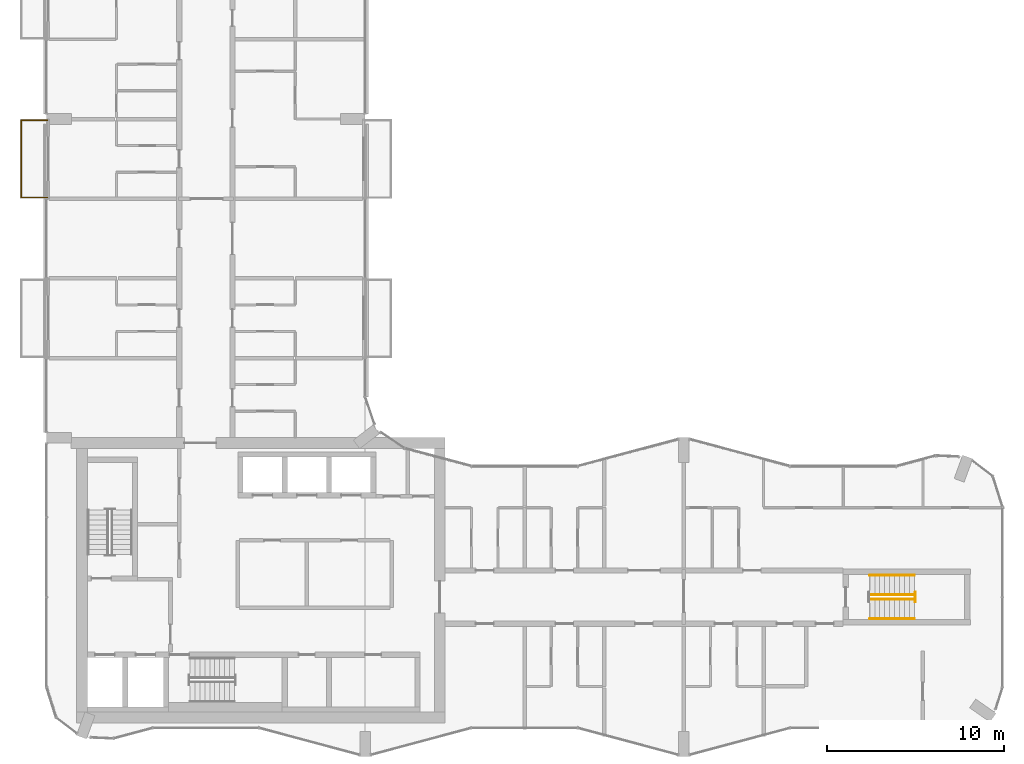
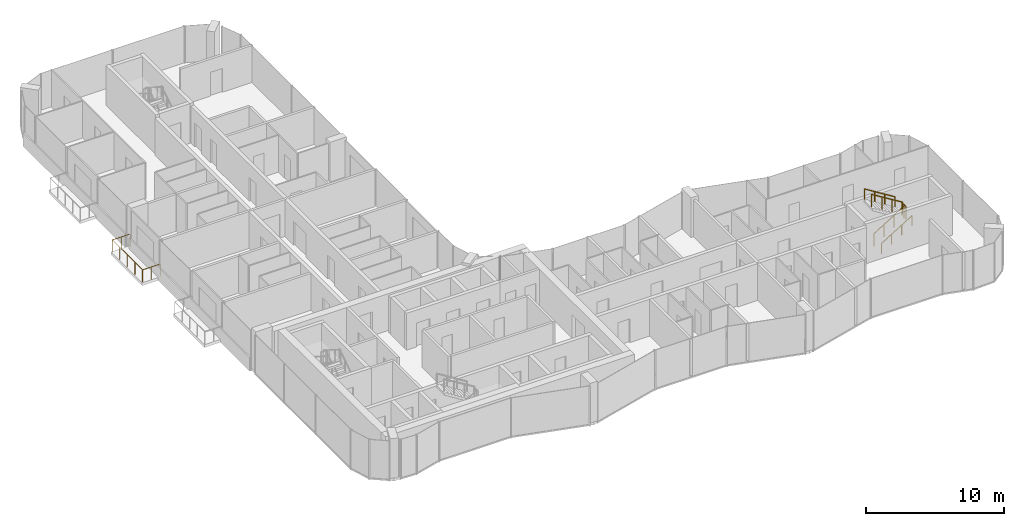
# One storey, part 15 of 16: 6 railings.
"""IFC4 building model written with IfcOpenShell, lengths in metres."""

import ifcopenshell
import ifcopenshell.guid

model = None  # the IFC model being written
_history = None  # IfcOwnerHistory: only IFC2X3 demands one
_inside = {}  # id of a spatial element -> (the spatial element, [elements in it])
_under = {}  # id of a project, library or spatial element -> (it, [spatial elements below it])
_declared = {}  # id of a project -> (the project, [libraries it declares])
_typed = {}  # id of a type object -> (the type object, [elements of that type])
_made_of = {}  # id of a material, layer set ... -> (it, [elements and type objects made of it])


def new_model(schema):
    """Start an empty IFC model of exactly this schema.

    Asked for "IFC4X3", IfcOpenShell would pick the latest addendum, in which some entities
    have other attributes; the version numbers below select the first issue.
    IFC2X3 requires an IfcOwnerHistory on every rooted entity: one is made here for all.
    """
    global model, _history
    if schema == "IFC4X3":
        model = ifcopenshell.file(schema_version=(4, 3, 0, 0))
    else:
        model = ifcopenshell.file(schema=schema)
    _inside.clear()
    _under.clear()
    _declared.clear()
    _typed.clear()
    _made_of.clear()
    _history = None
    if model.schema == "IFC2X3":
        org = make("IfcOrganization", Name="unknown")
        user = make(
            "IfcPersonAndOrganization",
            ThePerson=make("IfcPerson", FamilyName="unknown"),
            TheOrganization=org,
        )
        app = make(
            "IfcApplication",
            ApplicationDeveloper=org,
            Version="unknown",
            ApplicationFullName="unknown",
            ApplicationIdentifier="unknown",
        )
        _history = make(
            "IfcOwnerHistory",
            OwningUser=user,
            OwningApplication=app,
            ChangeAction="ADDED",
            CreationDate=0,
        )
    return model


def make(cls, **values):
    """One entity of the class cls with the attributes given. An attribute that is None is left unset."""
    return model.create_entity(
        cls, **{name: value for name, value in values.items() if value is not None}
    )


def rooted(cls, **values):
    """An entity with a GlobalId (a new one), such as an element, a storey or a relation."""
    return make(cls, GlobalId=ifcopenshell.guid.new(), OwnerHistory=_history, **values)


def si_unit(unit_type, name, prefix=None):
    """IfcSIUnit, for example si_unit("LENGTHUNIT", "METRE", prefix="MILLI")."""
    return make("IfcSIUnit", UnitType=unit_type, Prefix=prefix, Name=name)


def assignment(units):
    """IfcUnitAssignment: the units of a project."""
    return None if units is None else make("IfcUnitAssignment", Units=units)


def point(xyz):
    """IfcCartesianPoint."""
    return None if xyz is None else make("IfcCartesianPoint", Coordinates=xyz)


def direction(xyz):
    """IfcDirection."""
    return None if xyz is None else make("IfcDirection", DirectionRatios=xyz)


def frame(location, z_axis=None, x_axis=None):
    """IfcAxis2Placement3D, a coordinate frame: its origin and axes. An axis left out is left unset."""
    return make(
        "IfcAxis2Placement3D",
        Location=point(location),
        Axis=direction(z_axis),
        RefDirection=direction(x_axis),
    )


def frame_2d(location, x_axis=None):
    """IfcAxis2Placement2D, a coordinate frame in the plane: its origin and x axis."""
    return make(
        "IfcAxis2Placement2D", Location=point(location), RefDirection=direction(x_axis)
    )


def origin():
    """The frame at (0, 0, 0) with its axes left unset."""
    return frame((0.0, 0.0, 0.0))


def origin_2d():
    """The frame at (0, 0) in the plane with its x axis left unset."""
    return frame_2d((0.0, 0.0))


def place(relative_to, where):
    """IfcLocalPlacement: puts the frame where relative to a parent placement (None: the world)."""
    return make(
        "IfcLocalPlacement", PlacementRelTo=relative_to, RelativePlacement=where
    )


def context(
    kind, dimensions, precision=None, world=None, true_north=None, identifier=None
):
    """IfcGeometricRepresentationContext, for example the 3D "Model" context."""
    return make(
        "IfcGeometricRepresentationContext",
        ContextIdentifier=identifier,
        ContextType=kind,
        CoordinateSpaceDimension=dimensions,
        Precision=precision,
        WorldCoordinateSystem=world,
        TrueNorth=true_north,
    )


def subcontext(parent, identifier, kind, view, scale=None):
    """IfcGeometricRepresentationSubContext, for example "Body" below "Model"."""
    return make(
        "IfcGeometricRepresentationSubContext",
        ContextIdentifier=identifier,
        ContextType=kind,
        ParentContext=parent,
        TargetScale=scale,
        TargetView=view,
    )


def project(units=None, contexts=None):
    """IfcProject with its units and contexts."""
    return rooted(
        "IfcProject",
        Name="project",
        RepresentationContexts=contexts,
        UnitsInContext=assignment(units),
    )


def spatial(cls, under=None, at=None, **own):
    """A site, building, storey or space (cls), placed at a placement, below another one or the project."""
    s = rooted(cls, ObjectPlacement=at, **own)
    if under is not None:
        _under.setdefault(under.id(), (under, []))[1].append(s)
    return s


def profile(cls, at=None, kind="AREA", **sizes):
    """A parametric profile (cls). Its sizes go by their IFC names, for example OverallWidth=200.0."""
    return make(cls, ProfileType=kind, Position=at, **sizes)


def circle(**sizes):
    """IfcCircleProfileDef."""
    return profile("IfcCircleProfileDef", **sizes)


def extrude(swept, where, along, depth):
    """IfcExtrudedAreaSolid: the profile swept, set in the frame where, extruded along a direction by depth."""
    return make(
        "IfcExtrudedAreaSolid",
        SweptArea=swept,
        Position=where,
        ExtrudedDirection=direction(along),
        Depth=depth,
    )


def shape(context_of_items, identifier, shape_type, items):
    """IfcShapeRepresentation: the items that make up one representation, for example the "Body"."""
    return make(
        "IfcShapeRepresentation",
        ContextOfItems=context_of_items,
        RepresentationIdentifier=identifier,
        RepresentationType=shape_type,
        Items=items,
    )


def material(Name=None, Category=None):
    """IfcMaterial."""
    return make("IfcMaterial", Name=Name, Category=Category)


def made_of(thing, what):
    """Note that an element or type object is made of a material, layer set ...; save() writes the relation."""
    if what is not None:
        _made_of.setdefault(what.id(), (what, []))[1].append(thing)
    return thing


def type_object(cls, material=None, **own):
    """A type object (cls), such as IfcWallType, which elements share."""
    return made_of(rooted(cls, **own), material)


def element(
    cls,
    number,
    at=None,
    inside=None,
    cuts=None,
    type_object=None,
    material=None,
    context=None,
    identifier="Body",
    shape_type=None,
    held_by="IfcProductDefinitionShape",
    body=None,
    shapes=None,
    **own,
):
    """One element of the class cls, such as IfcWall. Its Tag is "e" and its number.

    at: its placement. inside: the storey or other place that contains it. cuts: it is an
    opening in that element (IfcRelVoidsElement). A single representation is given by context,
    identifier, shape_type and body (its items); several are given by shapes. held_by: the class
    of the entity that holds the representations. save() writes the other relations.
    """
    e = rooted(cls, Tag="e%d" % number, ObjectPlacement=at, **own)
    if body is not None:
        shapes = [shape(context, identifier, shape_type, body)]
    if shapes is not None:
        e.Representation = make(held_by, Representations=shapes)
    if inside is not None:
        _inside.setdefault(inside.id(), (inside, []))[1].append(e)
    if cuts is not None:
        rooted(
            "IfcRelVoidsElement", RelatingBuildingElement=cuts, RelatedOpeningElement=e
        )
    if type_object is not None:
        _typed.setdefault(type_object.id(), (type_object, []))[1].append(e)
    return made_of(e, material)


def aggregate(whole, parts):
    """IfcRelAggregates: a whole, such as a stair, and the parts it consists of."""
    return rooted("IfcRelAggregates", RelatingObject=whole, RelatedObjects=parts)


def save(model, path):
    """Write the relations noted so far, then the file.

    IfcRelAggregates (storeys below a building ...), IfcRelContainedInSpatialStructure (elements
    in a storey), IfcRelDefinesByType, IfcRelAssociatesMaterial and IfcRelDeclares: one each for
    every whole, place, type object, material and project.
    """
    for whole, parts in _under.values():
        aggregate(whole, parts)
    for where, things in _inside.values():
        rooted(
            "IfcRelContainedInSpatialStructure",
            RelatedElements=things,
            RelatingStructure=where,
        )
    for kind, things in _typed.values():
        rooted("IfcRelDefinesByType", RelatedObjects=things, RelatingType=kind)
    for what, things in _made_of.values():
        rooted("IfcRelAssociatesMaterial", RelatedObjects=things, RelatingMaterial=what)
    for by, libraries in _declared.values():
        rooted("IfcRelDeclares", RelatingContext=by, RelatedDefinitions=libraries)
    model.write(path)


model = new_model("IFC4")

# Units and contexts
model_context = context("Model", 3, precision=1e-05, world=origin(), true_north=direction((0.0, 1.0)))
body_context = subcontext(model_context, "Body", "Model", "MODEL_VIEW")
ifc_project = project(units=[si_unit("LENGTHUNIT", "METRE"), si_unit("AREAUNIT", "SQUARE_METRE"), si_unit("VOLUMEUNIT", "CUBIC_METRE"), si_unit("PLANEANGLEUNIT", "RADIAN"), si_unit("MASSUNIT", "GRAM", prefix="KILO")], contexts=[model_context])

# Site, building, storey
site_placement = place(None, origin())
site = spatial("IfcSite", under=ifc_project, at=site_placement, CompositionType="ELEMENT")
building_placement = place(site_placement, origin())
building = spatial("IfcBuilding", under=site, at=building_placement, Name="Plateau Cross Towers", CompositionType="ELEMENT")
storey_placement = place(building_placement, frame((0.0, 0.0, 167.39990234375)))
storey = spatial("IfcBuildingStorey", under=building, at=storey_placement, Name="L43", CompositionType="ELEMENT", Elevation=167.39990234375)

# Railings
ifc_material_1 = material(Name="Stainless steel and toughened glass", Category="steel")
railing_type_1 = type_object("IfcRailingType", Name="Glass balustrade guard 1100", PredefinedType="GUARDRAIL", material=ifc_material_1)
railing_1_placement = place(storey_placement, frame((0.050048828125, 31.570068359375, 0.0)))
element("IfcRailing", 1, at=railing_1_placement, inside=storey, type_object=railing_type_1, Name="Guard guard1", PredefinedType="GUARDRAIL", context=body_context, shape_type="SweptSolid", body=[
    extrude(circle(Radius=0.02392578125, at=origin_2d()), frame((0.0, 0.0, 1.076171875), z_axis=(-1.0, 0.0, 0.0), x_axis=(0.0, -1.0, 0.0)), (0.0, 0.0, 1.0), 1.47998046875),
    extrude(circle(Radius=0.02392578125, at=origin_2d()), frame((-1.47998046875, 0.0, 1.076171875), z_axis=(0.0, 1.0, 0.0), x_axis=(-1.0, 0.0, 0.0)), (0.0, 0.0, 1.0), 4.35986328125),
    extrude(circle(Radius=0.02392578125, at=origin_2d()), frame((-1.47998046875, 4.35986328125, 1.076171875), z_axis=(1.0, 0.0, 0.0), x_axis=(0.0, 1.0, 0.0)), (0.0, 0.0, 1.0), 1.47998046875),
    extrude(circle(Radius=0.02099609375, at=origin_2d()), origin(), (0.0, 0.0, 1.0), 1.052001953125),
    extrude(circle(Radius=0.02099609375, at=origin_2d()), frame((-0.739990234375, 0.0, 0.0)), (0.0, 0.0, 1.0), 1.052001953125),
    extrude(circle(Radius=0.02099609375, at=origin_2d()), frame((-1.47998046875, 0.0, 0.0)), (0.0, 0.0, 1.0), 1.052001953125),
    extrude(circle(Radius=0.02099609375, at=origin_2d()), frame((-1.47998046875, 1.08984375, 0.0)), (0.0, 0.0, 1.0), 1.052001953125),
    extrude(circle(Radius=0.02099609375, at=origin_2d()), frame((-1.47998046875, 2.179931640625, 0.0)), (0.0, 0.0, 1.0), 1.052001953125),
    extrude(circle(Radius=0.02099609375, at=origin_2d()), frame((-1.47998046875, 3.27001953125, 0.0)), (0.0, 0.0, 1.0), 1.052001953125),
    extrude(circle(Radius=0.02099609375, at=origin_2d()), frame((-1.47998046875, 4.35986328125, 0.0)), (0.0, 0.0, 1.0), 1.052001953125),
    extrude(circle(Radius=0.02099609375, at=origin_2d()), frame((-0.739990234375, 4.35986328125, 0.0)), (0.0, 0.0, 1.0), 1.052001953125),
    extrude(circle(Radius=0.02099609375, at=origin_2d()), frame((0.0, 4.35986328125, 0.0)), (0.0, 0.0, 1.0), 1.052001953125),
])
railing_type_2 = type_object("IfcRailingType", Name="RL-GUARD-1100", PredefinedType="GUARDRAIL", material=ifc_material_1)
railing_2_placement = place(storey_placement, frame((46.5, 8.875, 0.175048828125)))
element("IfcRailing", 2, at=railing_2_placement, inside=storey, type_object=railing_type_2, Name="L43 ES-E stair guard 1", PredefinedType="GUARDRAIL", context=body_context, shape_type="SweptSolid", body=[
    extrude(circle(Radius=0.02392578125, at=origin_2d()), frame((0.0, 0.0, 1.076171875), z_axis=(0.848007534815, 0.0, 0.529984170421), x_axis=(0.0, 1.0, 0.0)), (0.0, 0.0, 1.0), 2.9716796875),
    extrude(circle(Radius=0.02099609375, at=origin_2d()), origin(), (0.0, 0.0, 1.0), 1.052001953125),
    extrude(circle(Radius=0.02099609375, at=origin_2d()), frame((0.840087890625, 0.0, 0.52490234375)), (0.0, 0.0, 1.0), 1.052001953125),
    extrude(circle(Radius=0.02099609375, at=origin_2d()), frame((1.679931640625, 0.0, 1.050048828125)), (0.0, 0.0, 1.0), 1.052001953125),
    extrude(circle(Radius=0.02099609375, at=origin_2d()), frame((2.52001953125, 0.0, 1.574951171875)), (0.0, 0.0, 1.0), 1.052001953125),
])
railing_3_placement = place(storey_placement, frame((49.070068359375, 8.72509765625, 1.75)))
element("IfcRailing", 3, at=railing_3_placement, inside=storey, type_object=railing_type_2, Name="L43 ES-E stair guard 2", PredefinedType="GUARDRAIL", context=body_context, shape_type="SweptSolid", body=[
    extrude(circle(Radius=0.02392578125, at=origin_2d()), frame((0.0, 0.0, 1.076171875), z_axis=(0.0, 1.0, 0.0), x_axis=(-1.0, 0.0, 0.0)), (0.0, 0.0, 1.0), 0.5498046875),
    extrude(circle(Radius=0.02099609375, at=origin_2d()), origin(), (0.0, 0.0, 1.0), 1.052001953125),
    extrude(circle(Radius=0.02099609375, at=origin_2d()), frame((0.0, 0.5498046875, 0.0)), (0.0, 0.0, 1.0), 1.052001953125),
])
railing_4_placement = place(storey_placement, frame((49.02001953125, 9.125, 1.925048828125)))
element("IfcRailing", 4, at=railing_4_placement, inside=storey, type_object=railing_type_2, Name="L43 ES-E stair guard 3", PredefinedType="GUARDRAIL", context=body_context, shape_type="SweptSolid", body=[
    extrude(circle(Radius=0.02392578125, at=origin_2d()), frame((0.0, 0.0, 1.076171875), z_axis=(-0.852638500773, 0.0, 0.522501279423), x_axis=(0.0, -1.0, 0.0)), (0.0, 0.0, 1.0), 3.01416015625),
    extrude(circle(Radius=0.02099609375, at=origin_2d()), origin(), (0.0, 0.0, 1.0), 1.052001953125),
    extrude(circle(Radius=0.02099609375, at=origin_2d()), frame((-0.856689453125, 0.0, 0.52490234375)), (0.0, 0.0, 1.0), 1.052001953125),
    extrude(circle(Radius=0.02099609375, at=origin_2d()), frame((-1.71337890625, 0.0, 1.050048828125)), (0.0, 0.0, 1.0), 1.052001953125),
    extrude(circle(Radius=0.02099609375, at=origin_2d()), frame((-2.570068359375, 0.0, 1.574951171875)), (0.0, 0.0, 1.0), 1.052001953125),
])
ifc_material_2 = material(Name="Black anodised aluminium", Category="aluminium")
railing_type_3 = type_object("IfcRailingType", Name="RL-HANDRAIL-900", PredefinedType="HANDRAIL", material=ifc_material_2)
railing_5_placement = place(storey_placement, frame((46.5, 7.77490234375, 0.175048828125)))
element("IfcRailing", 5, at=railing_5_placement, inside=storey, type_object=railing_type_3, Name="L43 ES-E stair handrail 1", PredefinedType="HANDRAIL", context=body_context, shape_type="SweptSolid", body=[
    extrude(circle(Radius=0.02392578125, at=origin_2d()), frame((0.0, 0.0, 0.8759765625), z_axis=(0.848007534815, 0.0, 0.529984170421), x_axis=(0.0, 1.0, 0.0)), (0.0, 0.0, 1.0), 2.9716796875),
    extrude(circle(Radius=0.02099609375, at=origin_2d()), origin(), (0.0, 0.0, 1.0), 0.851806640625),
    extrude(circle(Radius=0.02099609375, at=origin_2d()), frame((0.840087890625, 0.0, 0.52490234375)), (0.0, 0.0, 1.0), 0.851806640625),
    extrude(circle(Radius=0.02099609375, at=origin_2d()), frame((1.679931640625, 0.0, 1.050048828125)), (0.0, 0.0, 1.0), 0.851806640625),
    extrude(circle(Radius=0.02099609375, at=origin_2d()), frame((2.52001953125, 0.0, 1.574951171875)), (0.0, 0.0, 1.0), 0.851806640625),
])
railing_6_placement = place(storey_placement, frame((49.02001953125, 10.22509765625, 1.925048828125)))
element("IfcRailing", 6, at=railing_6_placement, inside=storey, type_object=railing_type_3, Name="L43 ES-E stair handrail 2", PredefinedType="HANDRAIL", context=body_context, shape_type="SweptSolid", body=[
    extrude(circle(Radius=0.02392578125, at=origin_2d()), frame((0.0, 0.0, 0.8759765625), z_axis=(-0.848007534815, 0.0, 0.529984170421), x_axis=(0.0, -1.0, 0.0)), (0.0, 0.0, 1.0), 2.9716796875),
    extrude(circle(Radius=0.02099609375, at=origin_2d()), origin(), (0.0, 0.0, 1.0), 0.851806640625),
    extrude(circle(Radius=0.02099609375, at=origin_2d()), frame((-0.840087890625, 0.0, 0.52490234375)), (0.0, 0.0, 1.0), 0.851806640625),
    extrude(circle(Radius=0.02099609375, at=origin_2d()), frame((-1.679931640625, 0.0, 1.050048828125)), (0.0, 0.0, 1.0), 0.851806640625),
    extrude(circle(Radius=0.02099609375, at=origin_2d()), frame((-2.52001953125, 0.0, 1.574951171875)), (0.0, 0.0, 1.0), 0.851806640625),
])

save(model, "model.ifc")
